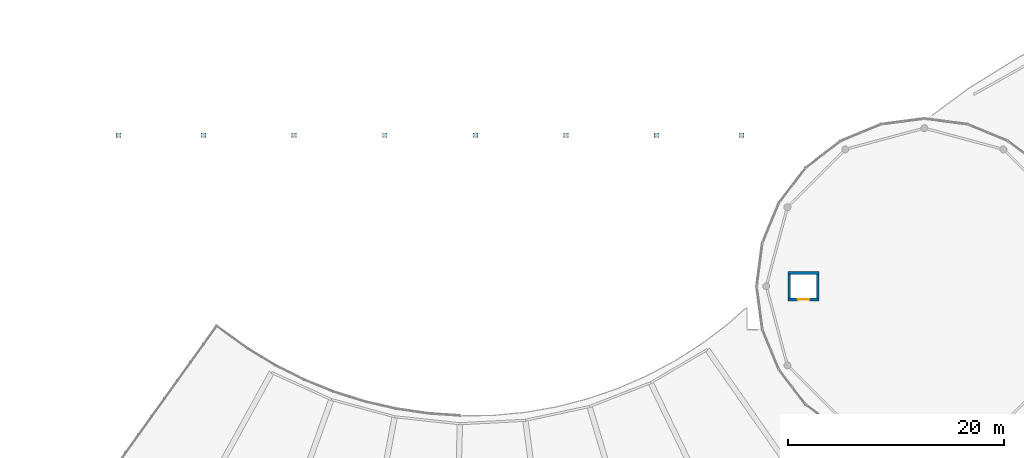
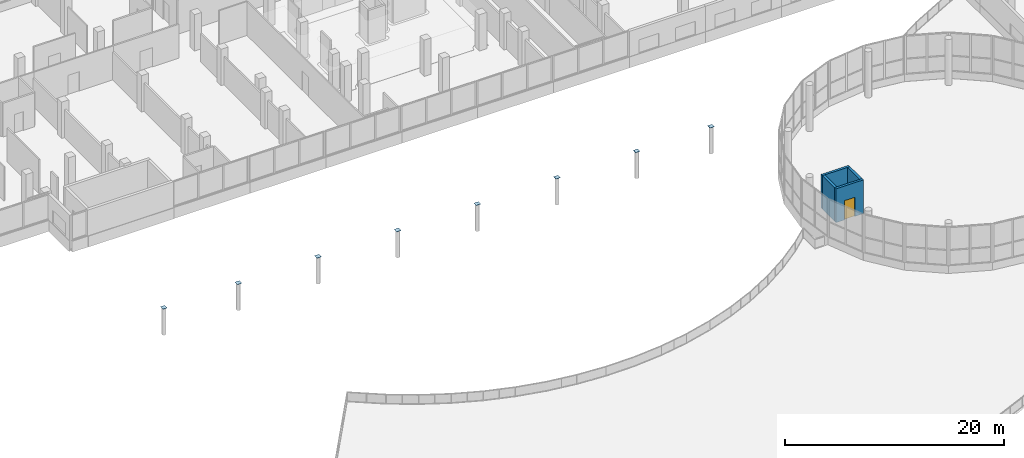
# One storey, part 82 of 101: 8 plates, 4 walls, 1 door, 1 opening.
"""IFC4 building model written with IfcOpenShell, lengths in metres."""

from ifc_helpers import new_model, si_unit, direction, frame, frame_2d, origin, origin_2d, place, context, subcontext, project, spatial, rectangle, extrude, material, layer, layer_set, type_object, element, fill, save


model = new_model("IFC4")

# Units and contexts
model_context = context("Model", 3, precision=1e-05, world=origin(), true_north=direction((0.0, 1.0)))
body_context = subcontext(model_context, "Body", "Model", "MODEL_VIEW")
ifc_project = project(units=[si_unit("LENGTHUNIT", "METRE"), si_unit("AREAUNIT", "SQUARE_METRE"), si_unit("VOLUMEUNIT", "CUBIC_METRE"), si_unit("PLANEANGLEUNIT", "RADIAN"), si_unit("MASSUNIT", "GRAM", prefix="KILO")], contexts=[model_context])

# Site, building, storey
site_placement = place(None, origin())
site = spatial("IfcSite", under=ifc_project, at=site_placement, CompositionType="ELEMENT")
building_placement = place(site_placement, origin())
building = spatial("IfcBuilding", under=site, at=building_placement, Name="Selatvlak General Hospital", CompositionType="ELEMENT")
storey_placement = place(building_placement, frame((0.0, 0.0, 19.199951171875)))
storey = spatial("IfcBuildingStorey", under=building, at=storey_placement, Name="L04", CompositionType="ELEMENT", Elevation=19.199951171875)

# Plates
ifc_material_1 = material(Name="Steel S355", Category="steel")
ifc_layer_1 = layer(ifc_material_1, 0.02001953125, Name="Steel S355", Category="steel")
ifc_layer_set_1 = layer_set([ifc_layer_1], Name="Steel S355")
plate_type = type_object("IfcPlateType", Name="PLT-GP-01", PredefinedType="USERDEFINED", material=ifc_layer_set_1)
for number, where, z_axis, x_axis, name in (
    (1, (23.35009765625, 68.0, 2.955078125), (0.0, 0.0, 1.0), (1.0, 0.0, 0.0), "CHS column welded cap plate 02"),
    (2, (31.199951171875, 68.0, 2.955078125), (0.0, 0.0, 1.0), (1.0, 0.0, 0.0), "CHS column welded cap plate 05"),
    (3, (39.60009765625, 68.0, 2.955078125), (0.0, 0.0, 1.0), (1.0, 0.0, 0.0), "CHS column welded cap plate 08"),
    (4, (48.0, 68.0, 2.955078125), (0.0, 0.0, 1.0), (1.0, 0.0, 0.0), "CHS column welded cap plate 11"),
    (5, (56.39990234375, 68.0, 2.955078125), (0.0, 0.0, 1.0), (1.0, 0.0, 0.0), "CHS column welded cap plate 14"),
    (6, (64.800048828125, 68.0, 2.955078125), (0.0, 0.0, 1.0), (1.0, 0.0, 0.0), "CHS column welded cap plate 17"),
    (7, (73.199951171875, 68.0, 2.955078125), (0.0, 0.0, 1.0), (1.0, 0.0, 0.0), "CHS column welded cap plate 20"),
    (8, (81.050048828125, 68.0, 2.955078125), (0.0, 0.0, 1.0), (1.0, 0.0, 0.0), "CHS column welded cap plate 23"),
):
    element("IfcPlate", number, at=place(storey_placement, frame(where, z_axis=z_axis, x_axis=x_axis)), inside=storey, type_object=plate_type, Name=name, ObjectType="GUSSET_PLATE", PredefinedType="USERDEFINED", context=body_context, shape_type="SweptSolid", body=[
        extrude(rectangle(XDim=0.449951171875, YDim=0.449951171875, at=origin_2d()), origin(), (0.0, 0.0, 1.0), 0.02001953125),
    ])

# Wall, opening, door
ifc_material_2 = material(Name="Concrete C40/50", Category="concrete")
ifc_layer_2 = layer(ifc_material_2, 0.25, Name="Concrete C40/50", Category="concrete")
ifc_layer_set_2 = layer_set([ifc_layer_2], Name="Concrete C40/50")
wall_type = type_object("IfcWallType", Name="WALL-SW-03", PredefinedType="SHEAR", material=ifc_layer_set_2)
wall_1_placement = place(storey_placement, frame((85.35009765625, 52.77490234375, 0.0), z_axis=(0.0, 0.0, 1.0), x_axis=(1.0, 0.0, 0.0)))
wall_1 = element("IfcWall", 9, at=wall_1_placement, inside=storey, type_object=wall_type, Name="Lift LP-03 shaft wall L04 S", PredefinedType="SHEAR", context=body_context, shape_type="SweptSolid", body=[
    extrude(rectangle(XDim=2.89990234375, YDim=0.25, at=frame_2d((1.449951171875, 0.0))), origin(), (0.0, 0.0, 1.0), 3.77001953125),
])
opening_placement = place(wall_1_placement, frame((0.89990234375, 0.0, 0.0)))
opening = element("IfcOpeningElement", 10, at=opening_placement, cuts=wall_1, Name="Opening LD-P1", PredefinedType="OPENING", context=body_context, shape_type="SweptSolid", body=[
    extrude(rectangle(XDim=1.10009765625, YDim=2.14990234375, at=frame_2d((0.550048828125, 1.074951171875))), frame((0.0, 0.135009765625, 0.0), z_axis=(0.0, -1.0, 0.0), x_axis=(1.0, 0.0, 0.0)), (0.0, 0.0, 1.0), 0.27001953125),
])
ifc_material_3 = material(Name="Stainless steel passenger lift landing door", Category="steel")
door_type = type_object("IfcDoorType", Name="DOOR-LD-P1", OperationType="DOUBLE_DOOR_SLIDING", PredefinedType="DOOR", material=ifc_material_3)
door_placement = place(opening_placement, origin())
door = element("IfcDoor", 11, at=door_placement, inside=storey, type_object=door_type, Name="Lift LP-03 sliding landing door on L04", OperationType="DOUBLE_DOOR_SLIDING", OverallHeight=2.14990234375, OverallWidth=1.10009765625, PredefinedType="DOOR", context=body_context, shape_type="SweptSolid", body=[
    extrude(rectangle(XDim=1.10009765625, YDim=2.14990234375, at=frame_2d((0.550048828125, 1.074951171875))), frame((0.0, 0.02490234375, 0.0), z_axis=(0.0, -1.0, 0.0), x_axis=(1.0, 0.0, 0.0)), (0.0, 0.0, 1.0), 0.050048828125),
])
fill(opening, door)

# Walls
wall_2_placement = place(storey_placement, frame((88.125, 52.89990234375, 0.0), z_axis=(0.0, 0.0, 1.0), x_axis=(0.0, 1.0, 0.0)))
element("IfcWall", 12, at=wall_2_placement, inside=storey, type_object=wall_type, Name="Lift LP-03 shaft wall L04 E", PredefinedType="SHEAR", context=body_context, shape_type="SweptSolid", body=[
    extrude(rectangle(XDim=2.2001953125, YDim=0.25, at=frame_2d((1.10009765625, 0.0))), origin(), (0.0, 0.0, 1.0), 3.77001953125),
])
wall_3_placement = place(storey_placement, frame((88.25, 55.22509765625, 0.0), z_axis=(0.0, 0.0, 1.0), x_axis=(-1.0, 0.0, 0.0)))
element("IfcWall", 13, at=wall_3_placement, inside=storey, type_object=wall_type, Name="Lift LP-03 shaft wall L04 N", PredefinedType="SHEAR", context=body_context, shape_type="SweptSolid", body=[
    extrude(rectangle(XDim=2.89990234375, YDim=0.25, at=frame_2d((1.449951171875, 0.0))), origin(), (0.0, 0.0, 1.0), 3.77001953125),
])
wall_4_placement = place(storey_placement, frame((85.47509765625, 55.10009765625, 0.0), z_axis=(0.0, 0.0, 1.0), x_axis=(0.0, -1.0, 0.0)))
element("IfcWall", 14, at=wall_4_placement, inside=storey, type_object=wall_type, Name="Lift LP-03 shaft wall L04 W", PredefinedType="SHEAR", context=body_context, shape_type="SweptSolid", body=[
    extrude(rectangle(XDim=2.2001953125, YDim=0.25, at=frame_2d((1.10009765625, 0.0))), origin(), (0.0, 0.0, 1.0), 3.77001953125),
])

save(model, "model.ifc")
